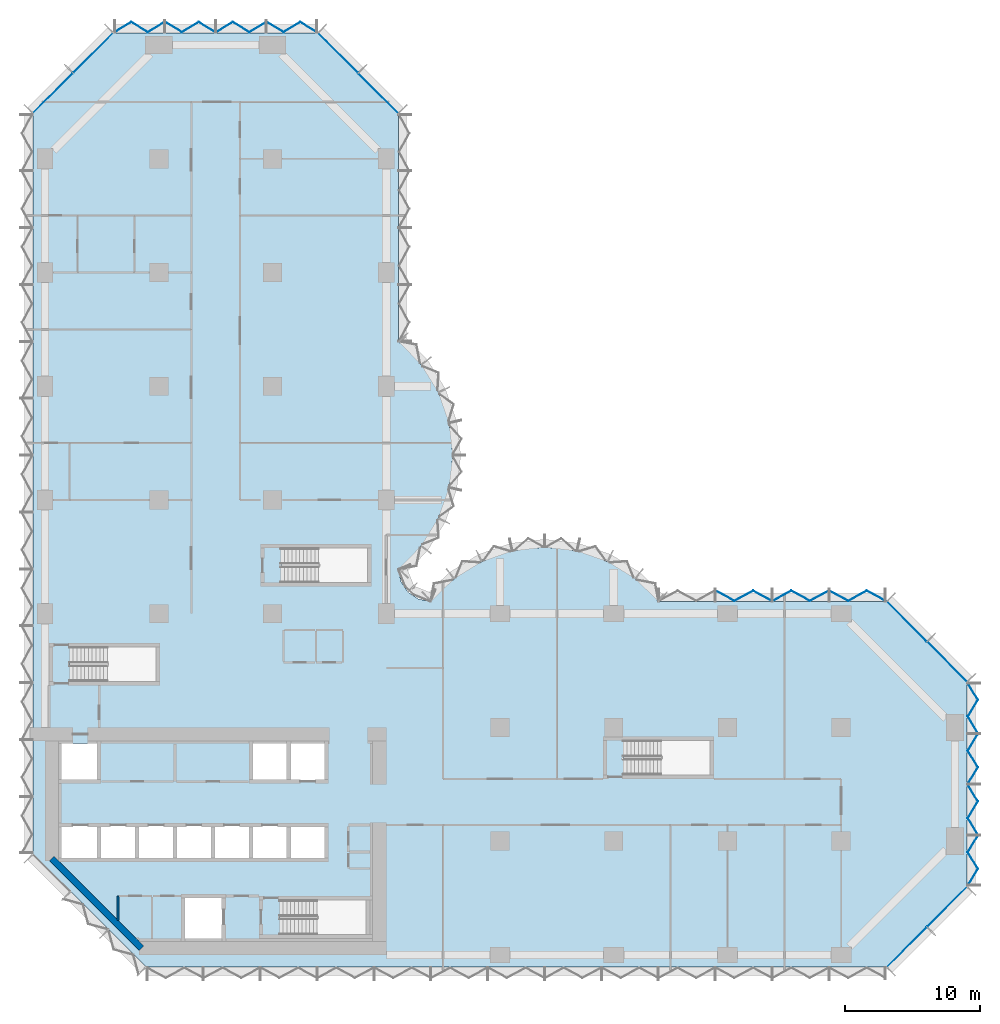
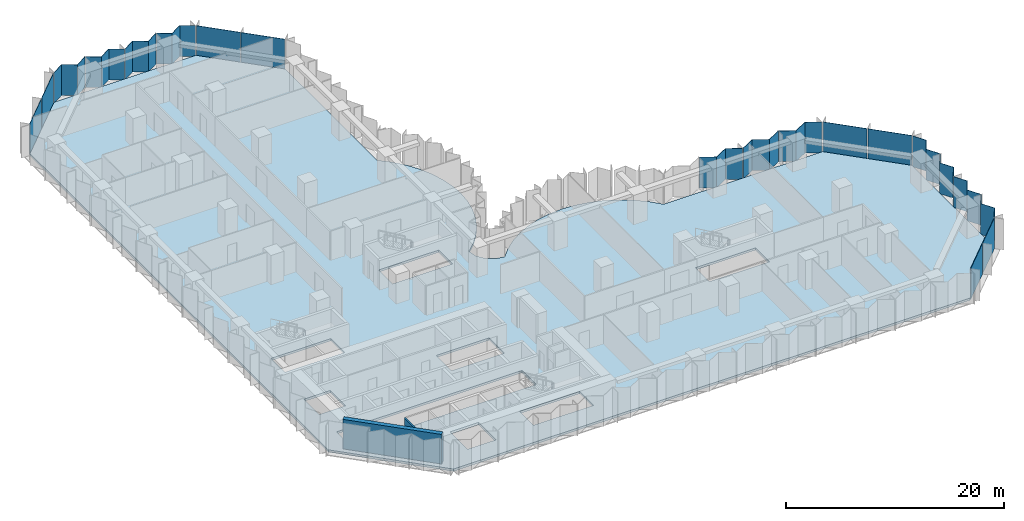
# One storey, part 6 of 15: 19 plates, 2 walls, 1 slab, 7 elements without a shape of their own.
"""IFC4 building model written with IfcOpenShell, lengths in metres."""

from ifc_helpers import new_model, si_unit, direction, frame, frame_2d, origin, place, context, subcontext, project, spatial, polyline, rectangle, outline, extrude, material, layer, layer_set, type_object, element, aggregate, save


model = new_model("IFC4")

# Units and contexts
model_context = context("Model", 3, precision=1e-05, world=origin(), true_north=direction((0.0, 1.0)))
body_context = subcontext(model_context, "Body", "Model", "MODEL_VIEW")
ifc_project = project(units=[si_unit("LENGTHUNIT", "METRE"), si_unit("AREAUNIT", "SQUARE_METRE"), si_unit("VOLUMEUNIT", "CUBIC_METRE"), si_unit("PLANEANGLEUNIT", "RADIAN"), si_unit("MASSUNIT", "GRAM", prefix="KILO")], contexts=[model_context])

# Site, building, storey
site_placement = place(None, origin())
site = spatial("IfcSite", under=ifc_project, at=site_placement, CompositionType="ELEMENT")
building_placement = place(site_placement, origin())
building = spatial("IfcBuilding", under=site, at=building_placement, Name="Brevane Broadcast Tower", CompositionType="ELEMENT")
storey_placement = place(building_placement, frame((0.0, 0.0, 83.300048828125)))
storey = spatial("IfcBuildingStorey", under=building, at=storey_placement, Name="L19", CompositionType="ELEMENT", Elevation=83.300048828125)

# Curtain wall, plates
ifc_material_1 = material(Name="Aluminium 6063-T6 bronze anodised", Category="aluminium")
curtain_wall_type = type_object("IfcCurtainWallType", Name="CW-1 curtain wall", PredefinedType="NOTDEFINED", material=ifc_material_1)
curtain_wall_1_placement = place(storey_placement, origin())
curtain_wall_1 = element("IfcCurtainWall", 1, at=curtain_wall_1_placement, inside=storey, type_object=curtain_wall_type, Name="CW-1 typical tilted unit L19 south-east chamfer", PredefinedType="NOTDEFINED")
ifc_material_2 = material(Name="Laminated glass bronze-tinted", Category="glass")
ifc_layer_1 = layer(ifc_material_2, 0.0400390625)
ifc_layer_set_1 = layer_set([ifc_layer_1], Name="CW tall glass panel 40")
plate_type = type_object("IfcPlateType", Name="CW tall glass panel 40", PredefinedType="CURTAIN_PANEL", material=ifc_layer_set_1)
plate_1_placement = place(storey_placement, frame((0.0, 0.0, -0.150146484375)))
plate_1 = element("IfcPlate", 2, at=plate_1_placement, type_object=plate_type, Name="CW-1 glass panel", PredefinedType="CURTAIN_PANEL", context=body_context, shape_type="SweptSolid", body=[
    extrude(outline(polyline([(62.14599609375, -0.896484375), (65.096435546875, 2.053955078125), (65.124755859375, 2.02587890625), (62.17431640625, -0.9248046875), (62.14599609375, -0.896484375)])), origin(), (0.0, 0.0, 1.0), 3.4501953125),
])
plate_2_placement = place(storey_placement, frame((0.0, 0.0, -0.150146484375)))
plate_2 = element("IfcPlate", 3, at=plate_2_placement, type_object=plate_type, Name="CW-1 glass panel", PredefinedType="CURTAIN_PANEL", context=body_context, shape_type="SweptSolid", body=[
    extrude(outline(polyline([(65.14599609375, 2.103515625), (68.096435546875, 5.053955078125), (68.124755859375, 5.02587890625), (65.17431640625, 2.0751953125), (65.14599609375, 2.103515625)])), origin(), (0.0, 0.0, 1.0), 3.4501953125),
])
aggregate(curtain_wall_1, [plate_1, plate_2])

curtain_wall_2_placement = place(storey_placement, origin())
curtain_wall_2 = element("IfcCurtainWall", 4, at=curtain_wall_2_placement, inside=storey, type_object=curtain_wall_type, Name="CW-1 typical tilted unit L19 east end", PredefinedType="NOTDEFINED")
plate_3_placement = place(storey_placement, frame((0.0, 0.0, -0.150146484375)))
plate_3 = element("IfcPlate", 5, at=plate_3_placement, type_object=plate_type, Name="CW-1 glass panel", PredefinedType="CURTAIN_PANEL", context=body_context, shape_type="SweptSolid", body=[
    extrude(outline(polyline([(68.126708984375, 5.135009765625), (68.17333984375, 5.135009765625), (68.917724609375, 6.36181640625), (68.17333984375, 7.58837890625), (68.917724609375, 8.81494140625), (68.87109375, 8.81494140625), (68.126708984375, 7.58837890625), (68.87109375, 6.36181640625), (68.126708984375, 5.135009765625)])), origin(), (0.0, 0.0, 1.0), 3.4501953125),
])
plate_4_placement = place(storey_placement, frame((0.0, 0.0, -0.150146484375)))
plate_4 = element("IfcPlate", 6, at=plate_4_placement, type_object=plate_type, Name="CW-1 glass panel", PredefinedType="CURTAIN_PANEL", context=body_context, shape_type="SweptSolid", body=[
    extrude(outline(polyline([(68.87109375, 8.885009765625), (68.917724609375, 8.885009765625), (68.17333984375, 10.11181640625), (68.917724609375, 11.33837890625), (68.17333984375, 12.56494140625), (68.126708984375, 12.56494140625), (68.87109375, 11.33837890625), (68.126708984375, 10.11181640625), (68.87109375, 8.885009765625)])), origin(), (0.0, 0.0, 1.0), 3.4501953125),
])
plate_5_placement = place(storey_placement, frame((0.0, 0.0, -0.150146484375)))
plate_5 = element("IfcPlate", 7, at=plate_5_placement, type_object=plate_type, Name="CW-1 glass panel", PredefinedType="CURTAIN_PANEL", context=body_context, shape_type="SweptSolid", body=[
    extrude(outline(polyline([(68.126708984375, 12.635009765625), (68.17333984375, 12.635009765625), (68.917724609375, 13.86181640625), (68.17333984375, 15.08837890625), (68.917724609375, 16.31494140625), (68.87109375, 16.31494140625), (68.126708984375, 15.08837890625), (68.87109375, 13.86181640625), (68.126708984375, 12.635009765625)])), origin(), (0.0, 0.0, 1.0), 3.4501953125),
])
plate_6_placement = place(storey_placement, frame((0.0, 0.0, -0.150146484375)))
plate_6 = element("IfcPlate", 8, at=plate_6_placement, type_object=plate_type, Name="CW-1 glass panel", PredefinedType="CURTAIN_PANEL", context=body_context, shape_type="SweptSolid", body=[
    extrude(outline(polyline([(68.87109375, 16.385009765625), (68.917724609375, 16.385009765625), (68.17333984375, 17.61181640625), (68.917724609375, 18.83837890625), (68.17333984375, 20.06494140625), (68.126708984375, 20.06494140625), (68.87109375, 18.83837890625), (68.126708984375, 17.61181640625), (68.87109375, 16.385009765625)])), origin(), (0.0, 0.0, 1.0), 3.4501953125),
])
aggregate(curtain_wall_2, [plate_3, plate_4, plate_5, plate_6])

curtain_wall_3_placement = place(storey_placement, origin())
curtain_wall_3 = element("IfcCurtainWall", 9, at=curtain_wall_3_placement, inside=storey, type_object=curtain_wall_type, Name="CW-1 typical tilted unit L19 north-east chamfer", PredefinedType="NOTDEFINED")
plate_7_placement = place(storey_placement, frame((0.0, 0.0, -0.150146484375)))
plate_7 = element("IfcPlate", 10, at=plate_7_placement, type_object=plate_type, Name="CW-1 glass panel", PredefinedType="CURTAIN_PANEL", context=body_context, shape_type="SweptSolid", body=[
    extrude(outline(polyline([(68.096435546875, 20.14599609375), (65.14599609375, 23.096435546875), (65.17431640625, 23.124755859375), (68.124755859375, 20.17431640625), (68.096435546875, 20.14599609375)])), origin(), (0.0, 0.0, 1.0), 3.4501953125),
])
plate_8_placement = place(storey_placement, frame((0.0, 0.0, -0.150146484375)))
plate_8 = element("IfcPlate", 11, at=plate_8_placement, type_object=plate_type, Name="CW-1 glass panel", PredefinedType="CURTAIN_PANEL", context=body_context, shape_type="SweptSolid", body=[
    extrude(outline(polyline([(65.096435546875, 23.14599609375), (62.14599609375, 26.096435546875), (62.17431640625, 26.124755859375), (65.124755859375, 23.17431640625), (65.096435546875, 23.14599609375)])), origin(), (0.0, 0.0, 1.0), 3.4501953125),
])
aggregate(curtain_wall_3, [plate_7, plate_8])

curtain_wall_4_placement = place(storey_placement, origin())
curtain_wall_4 = element("IfcCurtainWall", 12, at=curtain_wall_4_placement, inside=storey, type_object=curtain_wall_type, Name="CW-1 typical tilted unit L19 east arm north face", PredefinedType="NOTDEFINED")
plate_9_placement = place(storey_placement, frame((0.0, 0.0, -0.150146484375)))
plate_9 = element("IfcPlate", 13, at=plate_9_placement, type_object=plate_type, Name="CW-1 glass panel", PredefinedType="CURTAIN_PANEL", context=body_context, shape_type="SweptSolid", body=[
    extrude(outline(polyline([(62.06494140625, 26.127197265625), (62.06494140625, 26.172607421875), (60.688232421875, 26.9169921875), (59.311767578125, 26.172607421875), (57.93505859375, 26.9169921875), (57.93505859375, 26.87158203125), (59.311767578125, 26.127197265625), (60.688232421875, 26.87158203125), (62.06494140625, 26.127197265625)])), origin(), (0.0, 0.0, 1.0), 3.4501953125),
])
plate_10_placement = place(storey_placement, frame((0.0, 0.0, -0.150146484375)))
plate_10 = element("IfcPlate", 14, at=plate_10_placement, type_object=plate_type, Name="CW-1 glass panel", PredefinedType="CURTAIN_PANEL", context=body_context, shape_type="SweptSolid", body=[
    extrude(outline(polyline([(57.864990234375, 26.87158203125), (57.864990234375, 26.9169921875), (56.48828125, 26.172607421875), (55.11181640625, 26.9169921875), (53.735107421875, 26.172607421875), (53.735107421875, 26.127197265625), (55.11181640625, 26.87158203125), (56.48828125, 26.127197265625), (57.864990234375, 26.87158203125)])), origin(), (0.0, 0.0, 1.0), 3.4501953125),
])
plate_11_placement = place(storey_placement, frame((0.0, 0.0, -0.150146484375)))
plate_11 = element("IfcPlate", 15, at=plate_11_placement, type_object=plate_type, Name="CW-1 glass panel", PredefinedType="CURTAIN_PANEL", context=body_context, shape_type="SweptSolid", body=[
    extrude(outline(polyline([(53.6650390625, 26.127197265625), (53.6650390625, 26.172607421875), (52.288330078125, 26.9169921875), (50.91162109375, 26.172607421875), (49.534912109375, 26.9169921875), (49.534912109375, 26.87158203125), (50.91162109375, 26.127197265625), (52.288330078125, 26.87158203125), (53.6650390625, 26.127197265625)])), origin(), (0.0, 0.0, 1.0), 3.4501953125),
])
aggregate(curtain_wall_4, [plate_9, plate_10, plate_11])

curtain_wall_5_placement = place(storey_placement, origin())
curtain_wall_5 = element("IfcCurtainWall", 16, at=curtain_wall_5_placement, inside=storey, type_object=curtain_wall_type, Name="CW-1 typical tilted unit L19 north arm north-east chamfer", PredefinedType="NOTDEFINED")
plate_12_placement = place(storey_placement, frame((0.0, 0.0, -0.150146484375)))
plate_12 = element("IfcPlate", 17, at=plate_12_placement, type_object=plate_type, Name="CW-1 glass panel", PredefinedType="CURTAIN_PANEL", context=body_context, shape_type="SweptSolid", body=[
    extrude(outline(polyline([(26.096435546875, 62.14599609375), (23.14599609375, 65.096435546875), (23.17431640625, 65.124755859375), (26.124755859375, 62.17431640625), (26.096435546875, 62.14599609375)])), origin(), (0.0, 0.0, 1.0), 3.4501953125),
])
plate_13_placement = place(storey_placement, frame((0.0, 0.0, -0.150146484375)))
plate_13 = element("IfcPlate", 18, at=plate_13_placement, type_object=plate_type, Name="CW-1 glass panel", PredefinedType="CURTAIN_PANEL", context=body_context, shape_type="SweptSolid", body=[
    extrude(outline(polyline([(23.096435546875, 65.14599609375), (20.14599609375, 68.096435546875), (20.17431640625, 68.124755859375), (23.124755859375, 65.17431640625), (23.096435546875, 65.14599609375)])), origin(), (0.0, 0.0, 1.0), 3.4501953125),
])
aggregate(curtain_wall_5, [plate_12, plate_13])

curtain_wall_6_placement = place(storey_placement, origin())
curtain_wall_6 = element("IfcCurtainWall", 19, at=curtain_wall_6_placement, inside=storey, type_object=curtain_wall_type, Name="CW-1 typical tilted unit L19 north end", PredefinedType="NOTDEFINED")
plate_14_placement = place(storey_placement, frame((0.0, 0.0, -0.150146484375)))
plate_14 = element("IfcPlate", 20, at=plate_14_placement, type_object=plate_type, Name="CW-1 glass panel", PredefinedType="CURTAIN_PANEL", context=body_context, shape_type="SweptSolid", body=[
    extrude(outline(polyline([(20.06494140625, 68.126708984375), (20.06494140625, 68.17333984375), (18.83837890625, 68.917724609375), (17.61181640625, 68.17333984375), (16.385009765625, 68.917724609375), (16.385009765625, 68.87109375), (17.61181640625, 68.126708984375), (18.83837890625, 68.87109375), (20.06494140625, 68.126708984375)])), origin(), (0.0, 0.0, 1.0), 3.4501953125),
])
plate_15_placement = place(storey_placement, frame((0.0, 0.0, -0.150146484375)))
plate_15 = element("IfcPlate", 21, at=plate_15_placement, type_object=plate_type, Name="CW-1 glass panel", PredefinedType="CURTAIN_PANEL", context=body_context, shape_type="SweptSolid", body=[
    extrude(outline(polyline([(16.31494140625, 68.87109375), (16.31494140625, 68.917724609375), (15.08837890625, 68.17333984375), (13.86181640625, 68.917724609375), (12.635009765625, 68.17333984375), (12.635009765625, 68.126708984375), (13.86181640625, 68.87109375), (15.08837890625, 68.126708984375), (16.31494140625, 68.87109375)])), origin(), (0.0, 0.0, 1.0), 3.4501953125),
])
plate_16_placement = place(storey_placement, frame((0.0, 0.0, -0.150146484375)))
plate_16 = element("IfcPlate", 22, at=plate_16_placement, type_object=plate_type, Name="CW-1 glass panel", PredefinedType="CURTAIN_PANEL", context=body_context, shape_type="SweptSolid", body=[
    extrude(outline(polyline([(12.56494140625, 68.126708984375), (12.56494140625, 68.17333984375), (11.33837890625, 68.917724609375), (10.11181640625, 68.17333984375), (8.885009765625, 68.917724609375), (8.885009765625, 68.87109375), (10.11181640625, 68.126708984375), (11.33837890625, 68.87109375), (12.56494140625, 68.126708984375)])), origin(), (0.0, 0.0, 1.0), 3.4501953125),
])
plate_17_placement = place(storey_placement, frame((0.0, 0.0, -0.150146484375)))
plate_17 = element("IfcPlate", 23, at=plate_17_placement, type_object=plate_type, Name="CW-1 glass panel", PredefinedType="CURTAIN_PANEL", context=body_context, shape_type="SweptSolid", body=[
    extrude(outline(polyline([(8.81494140625, 68.87109375), (8.81494140625, 68.917724609375), (7.58837890625, 68.17333984375), (6.36181640625, 68.917724609375), (5.135009765625, 68.17333984375), (5.135009765625, 68.126708984375), (6.36181640625, 68.87109375), (7.58837890625, 68.126708984375), (8.81494140625, 68.87109375)])), origin(), (0.0, 0.0, 1.0), 3.4501953125),
])
aggregate(curtain_wall_6, [plate_14, plate_15, plate_16, plate_17])

curtain_wall_7_placement = place(storey_placement, origin())
curtain_wall_7 = element("IfcCurtainWall", 24, at=curtain_wall_7_placement, inside=storey, type_object=curtain_wall_type, Name="CW-1 typical tilted unit L19 north-west chamfer", PredefinedType="NOTDEFINED")
plate_18_placement = place(storey_placement, frame((0.0, 0.0, -0.150146484375)))
plate_18 = element("IfcPlate", 25, at=plate_18_placement, type_object=plate_type, Name="CW-1 glass panel", PredefinedType="CURTAIN_PANEL", context=body_context, shape_type="SweptSolid", body=[
    extrude(outline(polyline([(5.053955078125, 68.096435546875), (2.103515625, 65.14599609375), (2.0751953125, 65.17431640625), (5.02587890625, 68.124755859375), (5.053955078125, 68.096435546875)])), origin(), (0.0, 0.0, 1.0), 3.4501953125),
])
plate_19_placement = place(storey_placement, frame((0.0, 0.0, -0.150146484375)))
plate_19 = element("IfcPlate", 26, at=plate_19_placement, type_object=plate_type, Name="CW-1 glass panel", PredefinedType="CURTAIN_PANEL", context=body_context, shape_type="SweptSolid", body=[
    extrude(outline(polyline([(2.053955078125, 65.096435546875), (-0.896484375, 62.14599609375), (-0.9248046875, 62.17431640625), (2.02587890625, 65.124755859375), (2.053955078125, 65.096435546875)])), origin(), (0.0, 0.0, 1.0), 3.4501953125),
])
aggregate(curtain_wall_7, [plate_18, plate_19])

# Slab
ifc_material_3 = material(Name="Concrete C40/50", Category="concrete")
ifc_layer_2 = layer(ifc_material_3, 0.25)
ifc_layer_set_2 = layer_set([ifc_layer_2], Name="RC FLOOR SLAB 250 C40/50")
slab_type = type_object("IfcSlabType", Name="RC FLOOR SLAB 250 C40/50", PredefinedType="FLOOR", material=ifc_layer_set_2)
slab_placement = place(storey_placement, frame((0.0, 0.0, -0.25)))
element("IfcSlab", 27, at=slab_placement, inside=storey, type_object=slab_type, Name="SL250 L19", PredefinedType="FLOOR", context=body_context, shape_type="SweptSolid", body=[
    extrude(outline(polyline([(-0.89990234375, 7.5), (-0.89990234375, 62.10009765625), (5.10009765625, 68.10009765625), (20.10009765625, 68.10009765625), (26.10009765625, 62.10009765625), (26.10009765625, 45.300048828125), (27.10888671875, 44.36865234375), (27.99169921875, 43.317138671875), (28.734130859375, 42.162353515625), (29.324462890625, 40.922607421875), (29.7529296875, 39.618408203125), (30.012939453125, 38.270263671875), (30.10009765625, 36.89990234375), (30.012939453125, 35.52978515625), (29.7529296875, 34.181640625), (29.324462890625, 32.877197265625), (28.734130859375, 31.6376953125), (27.99169921875, 30.48291015625), (27.10888671875, 29.431396484375), (26.10009765625, 28.5), (26.28271484375, 27.58154296875), (26.802978515625, 26.802978515625), (27.58154296875, 26.28271484375), (28.5, 26.10009765625), (29.431396484375, 27.10888671875), (30.48291015625, 27.99169921875), (31.6376953125, 28.734130859375), (32.877197265625, 29.324462890625), (34.181640625, 29.7529296875), (35.52978515625, 30.012939453125), (36.89990234375, 30.10009765625), (38.270263671875, 30.012939453125), (39.618408203125, 29.7529296875), (40.922607421875, 29.324462890625), (42.162353515625, 28.734130859375), (43.317138671875, 27.99169921875), (44.36865234375, 27.10888671875), (45.300048828125, 26.10009765625), (62.10009765625, 26.10009765625), (68.10009765625, 20.10009765625), (68.10009765625, 5.10009765625), (62.10009765625, -0.89990234375), (7.5, -0.89990234375), (-0.89990234375, 7.5)]), holes=[polyline([(13.199951171875, 4.39990234375), (10.199951171875, 4.39990234375), (10.199951171875, 1.199951171875), (13.199951171875, 1.199951171875), (13.199951171875, 4.39990234375)]), polyline([(4.0, 9.60009765625), (1.199951171875, 9.60009765625), (1.199951171875, 7.0), (4.0, 7.0), (6.800048828125, 7.0), (9.60009765625, 7.0), (12.39990234375, 7.0), (15.199951171875, 7.0), (18.0, 7.0), (20.800048828125, 7.0), (20.800048828125, 9.60009765625), (18.0, 9.60009765625), (15.199951171875, 9.60009765625), (12.39990234375, 9.60009765625), (9.60009765625, 9.60009765625), (6.800048828125, 9.60009765625), (4.0, 9.60009765625)]), polyline([(4.0, 12.800048828125), (4.0, 15.60009765625), (1.199951171875, 15.60009765625), (1.199951171875, 12.800048828125), (4.0, 12.800048828125)]), polyline([(8.199951171875, 22.75), (1.860107421875, 22.75), (1.860107421875, 20.199951171875), (8.199951171875, 20.199951171875), (8.199951171875, 22.75)]), polyline([(23.699951171875, 4.050048828125), (17.360107421875, 4.050048828125), (17.360107421875, 1.5), (23.699951171875, 1.5), (23.699951171875, 4.050048828125)]), polyline([(18.0, 15.60009765625), (15.199951171875, 15.60009765625), (15.199951171875, 12.800048828125), (18.0, 12.800048828125), (20.800048828125, 12.800048828125), (20.800048828125, 15.60009765625), (18.0, 15.60009765625)]), polyline([(49.10009765625, 15.85009765625), (42.760009765625, 15.85009765625), (42.760009765625, 13.300048828125), (49.10009765625, 13.300048828125), (49.10009765625, 15.85009765625)]), polyline([(23.800048828125, 30.050048828125), (17.4599609375, 30.050048828125), (17.4599609375, 27.5), (23.800048828125, 27.5), (23.800048828125, 30.050048828125)])]), origin(), (0.0, 0.0, 1.0), 0.25),
])

# Walls
ifc_material_4 = material(Name="Gypsum board on steel studs", Category="steel")
ifc_layer_3 = layer(ifc_material_4, 0.14990234375)
ifc_layer_set_3 = layer_set([ifc_layer_3], Name="Core fire partition 150 mm")
wall_type_1 = type_object("IfcWallType", Name="Core fire partition 150 mm", PredefinedType="PARTITIONING", material=ifc_layer_set_3)
wall_1_placement = place(storey_placement, frame((5.39990234375, 2.553466796875, 0.0), z_axis=(0.0, 0.0, 1.0), x_axis=(0.0, 1.0, 0.0)))
element("IfcWall", 28, at=wall_1_placement, inside=storey, type_object=wall_type_1, Name="L19 partition wall P10", PredefinedType="PARTITIONING", context=body_context, shape_type="SweptSolid", body=[
    extrude(rectangle(XDim=1.796630859375, YDim=0.14990234375, at=frame_2d((0.8984375, 0.0))), origin(), (0.0, 0.0, 1.0), 3.300048828125),
])
ifc_material_5 = material(Name="Concrete C80/95", Category="concrete")
ifc_layer_4 = layer(ifc_material_5, 0.449951171875)
ifc_layer_set_4 = layer_set([ifc_layer_4], Name="Core wall 450 mm C80/95")
wall_type_2 = type_object("IfcWallType", Name="Core wall 450 mm C80/95", PredefinedType="SHEAR", material=ifc_layer_set_4)
wall_2_placement = place(storey_placement, frame((0.5, 7.1181640625, 0.0), z_axis=(0.0, 0.0, 1.0), x_axis=(0.707106781187, -0.707106781187, 0.0)))
element("IfcWall", 29, at=wall_2_placement, inside=storey, type_object=wall_type_2, Name="L19 outer wall WC", PredefinedType="SHEAR", context=body_context, shape_type="SweptSolid", body=[
    extrude(rectangle(XDim=9.359619140625, YDim=0.449951171875, at=frame_2d((4.6796875, 0.0))), origin(), (0.0, 0.0, 1.0), 3.300048828125),
])

save(model, "model.ifc")
